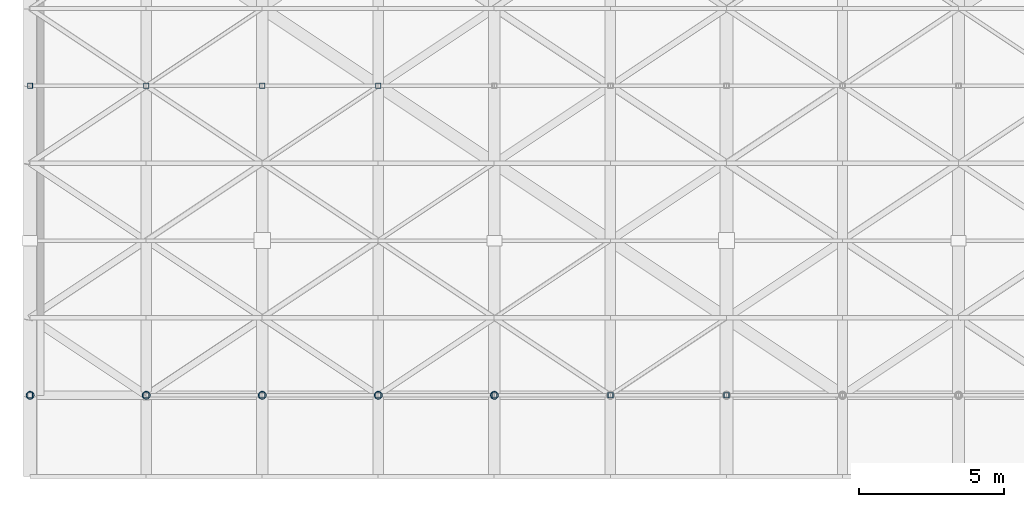
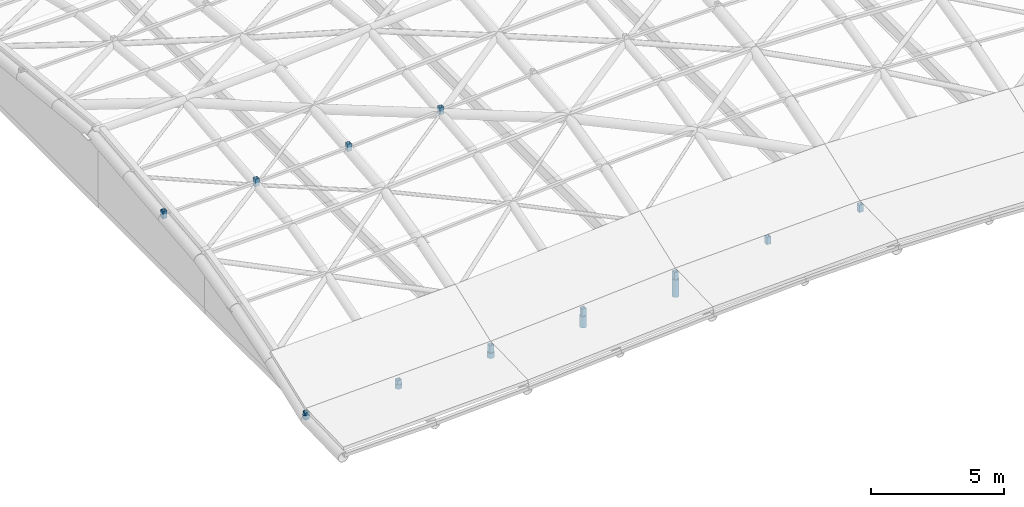
# One storey, part 12 of 20: 16 members.
"""IFC4 building model written with IfcOpenShell, lengths in metres."""

from ifc_helpers import new_model, si_unit, direction, frame, origin, origin_2d, place, context, subcontext, project, spatial, hollow_rectangle, hollow_circle, extrude, material, material_profile, profile_set, type_object, element, save


model = new_model("IFC4")

# Units and contexts
model_context = context("Model", 3, precision=1e-05, world=origin(), true_north=direction((0.0, 1.0)))
body_context = subcontext(model_context, "Body", "Model", "MODEL_VIEW")
ifc_project = project(units=[si_unit("LENGTHUNIT", "METRE"), si_unit("AREAUNIT", "SQUARE_METRE"), si_unit("VOLUMEUNIT", "CUBIC_METRE"), si_unit("PLANEANGLEUNIT", "RADIAN"), si_unit("MASSUNIT", "GRAM", prefix="KILO")], contexts=[model_context])

# Site, building, storey
site_placement = place(None, origin())
site = spatial("IfcSite", under=ifc_project, at=site_placement, CompositionType="ELEMENT")
building_placement = place(site_placement, origin())
building = spatial("IfcBuilding", under=site, at=building_placement, Name="Tenunan Teduh Sports Hall", CompositionType="ELEMENT")
storey_placement = place(building_placement, frame((0.0, 0.0, 23.39990234375)))
storey = spatial("IfcBuildingStorey", under=building, at=storey_placement, Name="RF", CompositionType="ELEMENT", Elevation=23.39990234375)

# Members
ifc_material_1 = material(Name="Steel S355", Category="steel")
ifc_material_profile_1 = material_profile(ifc_material_1, hollow_circle(Radius=0.136474609375, WallThickness=0.010009765625, at=origin_2d()), Name="CHS 273.0x10.0")
ifc_profile_set_1 = profile_set([ifc_material_profile_1], Name="Steel S355")
member_type_1 = type_object("IfcMemberType", Name="MEM-ST-CHS273", PredefinedType="STRUT", material=ifc_profile_set_1)
for number, where, z_axis, x_axis, name in (
    (1, (6.0, 14.0, -0.349853515625), (0.0, 0.0, 1.0), (1.0, 0.0, 0.0), "MEM-VS-04-RF-0408"),
    (2, (10.0, 14.0, -0.349853515625), (0.0, 0.0, 1.0), (1.0, 0.0, 0.0), "MEM-VS-04-RF-0416"),
):
    element("IfcMember", number, at=place(storey_placement, frame(where, z_axis=z_axis, x_axis=x_axis)), inside=storey, type_object=member_type_1, Name=name, PredefinedType="STRUT", context=body_context, shape_type="SweptSolid", body=[
        extrude(hollow_circle(Radius=0.136474609375, WallThickness=0.010009765625, at=origin_2d()), origin(), (0.0, 0.0, 1.0), 0.18994140625),
    ])
member_1_placement = place(storey_placement, frame((14.0, 14.0, -0.349853515625), z_axis=(0.0, 0.0, 1.0), x_axis=(1.0, 0.0, 0.0)))
element("IfcMember", 3, at=member_1_placement, inside=storey, type_object=member_type_1, Name="MEM-VS-04-RF-0424", PredefinedType="STRUT", context=body_context, shape_type="SweptSolid", body=[
    extrude(hollow_circle(Radius=0.136474609375, WallThickness=0.010009765625, at=origin_2d()), origin(), (0.0, 0.0, 1.0), 0.243408203125),
])
member_2_placement = place(storey_placement, frame((18.0, 14.0, -0.349853515625), z_axis=(0.0, 0.0, 1.0), x_axis=(1.0, 0.0, 0.0)))
element("IfcMember", 4, at=member_2_placement, inside=storey, type_object=member_type_1, Name="MEM-VS-04-RF-0432", PredefinedType="STRUT", context=body_context, shape_type="SweptSolid", body=[
    extrude(hollow_circle(Radius=0.136474609375, WallThickness=0.010009765625, at=origin_2d()), origin(), (0.0, 0.0, 1.0), 0.520751953125),
])
member_3_placement = place(storey_placement, frame((22.0, 14.0, -0.349853515625), z_axis=(0.0, 0.0, 1.0), x_axis=(1.0, 0.0, 0.0)))
element("IfcMember", 5, at=member_3_placement, inside=storey, type_object=member_type_1, Name="MEM-VS-04-RF-0440", PredefinedType="STRUT", context=body_context, shape_type="SweptSolid", body=[
    extrude(hollow_circle(Radius=0.136474609375, WallThickness=0.010009765625, at=origin_2d()), origin(), (0.0, 0.0, 1.0), 0.794189453125),
])
ifc_material_2 = material(Name="Steel S355", Category="steel")
ifc_material_profile_2 = material_profile(ifc_material_2, hollow_rectangle(XDim=0.179931640625, YDim=0.179931640625, WallThickness=0.010009765625, at=origin_2d()), Name="SHS 180x180x10.0")
ifc_profile_set_2 = profile_set([ifc_material_profile_2], Name="Steel S355")
member_type_2 = type_object("IfcMemberType", Name="MEM-ST-SHS180", PredefinedType="STRUT", material=ifc_profile_set_2)
for number, where, z_axis, x_axis, name in (
    (6, (6.0, 14.0, -0.3798828125), (0.0, 0.0, 1.0), (1.0, 0.0, 0.0), "MEM-VS-03-RF-0412"),
    (7, (6.0, 24.666748046875, 2.3701171875), (0.0, 0.0, 1.0), (1.0, 0.0, 0.0), "MEM-VS-03-RF-0413"),
    (8, (10.0, 14.0, -0.3056640625), (0.0, 0.0, 1.0), (1.0, 0.0, 0.0), "MEM-VS-03-RF-0420"),
    (9, (10.0, 24.666748046875, 2.4443359375), (0.0, 0.0, 1.0), (1.0, 0.0, 0.0), "MEM-VS-03-RF-0421"),
    (10, (14.0, 14.0, -0.1064453125), (0.0, 0.0, 1.0), (1.0, 0.0, 0.0), "MEM-VS-03-RF-0428"),
    (11, (14.0, 24.666748046875, 2.6435546875), (0.0, 0.0, 1.0), (1.0, 0.0, 0.0), "MEM-VS-03-RF-0429"),
    (12, (18.0, 14.0, 0.1708984375), (0.0, 0.0, 1.0), (1.0, 0.0, 0.0), "MEM-VS-03-RF-0436"),
    (13, (18.0, 24.666748046875, 2.9208984375), (0.0, 0.0, 1.0), (1.0, 0.0, 0.0), "MEM-VS-03-RF-0437"),
    (14, (22.0, 14.0, 0.4443359375), (0.0, 0.0, 1.0), (1.0, 0.0, 0.0), "MEM-VS-03-RF-0444"),
    (15, (26.0, 14.0, 0.6474609375), (0.0, 0.0, 1.0), (1.0, 0.0, 0.0), "MEM-VS-03-RF-0452"),
    (16, (30.0, 14.0, 0.7216796875), (0.0, 0.0, 1.0), (1.0, 0.0, 0.0), "MEM-VS-03-RF-0460"),
):
    element("IfcMember", number, at=place(storey_placement, frame(where, z_axis=z_axis, x_axis=x_axis)), inside=storey, type_object=member_type_2, Name=name, PredefinedType="STRUT", context=body_context, shape_type="SweptSolid", body=[
        extrude(hollow_rectangle(XDim=0.179931640625, YDim=0.179931640625, WallThickness=0.010009765625, at=origin_2d()), origin(), (0.0, 0.0, 1.0), 0.330078125),
    ])

save(model, "model.ifc")
